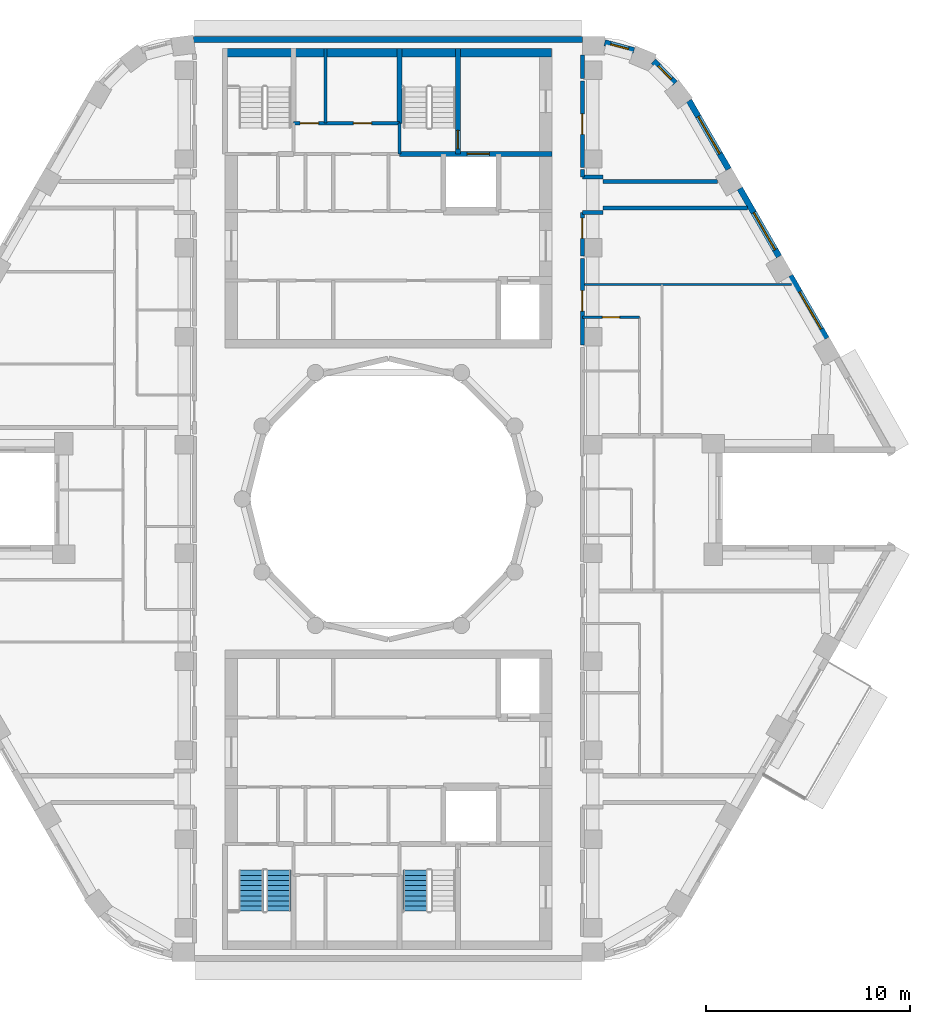
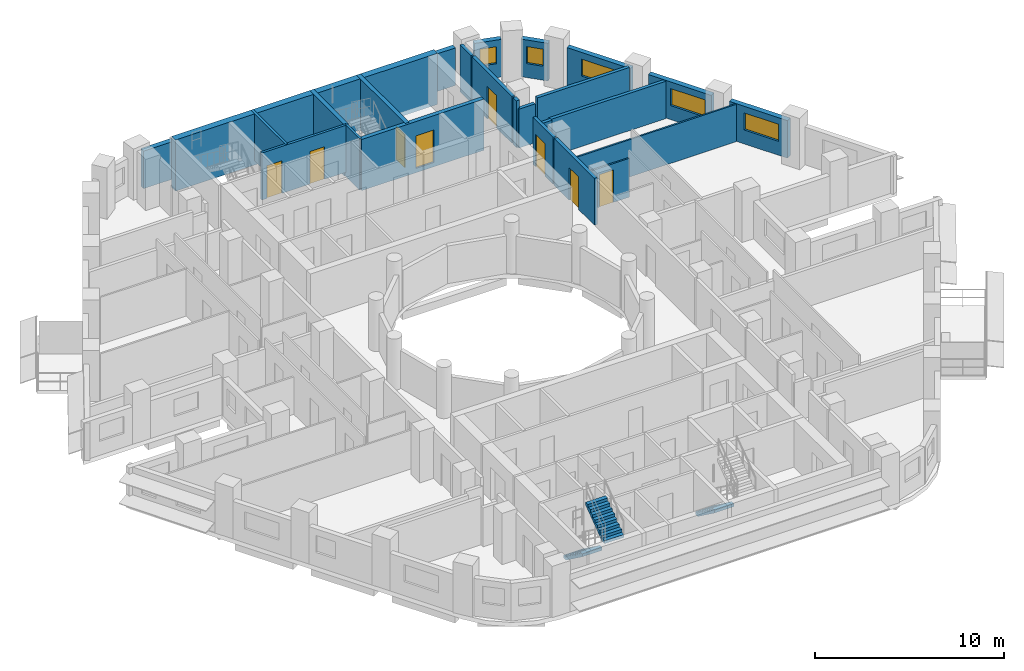
# One storey, part 8 of 14: 24 walls, 8 doors, 5 windows, 3 stair flights, 13 openings, 2 elements without a shape of their own.
"""IFC4 building model written with IfcOpenShell, lengths in metres."""

from ifc_helpers import new_model, si_unit, direction, frame, frame_2d, origin, place, context, subcontext, project, spatial, polyline, rectangle, outline, extrude, material, layer, layer_set, type_object, element, fill, aggregate, save


model = new_model("IFC4")

# Units and contexts
model_context = context("Model", 3, precision=1e-05, world=origin(), true_north=direction((0.0, 1.0)))
body_context = subcontext(model_context, "Body", "Model", "MODEL_VIEW")
ifc_project = project(units=[si_unit("LENGTHUNIT", "METRE"), si_unit("AREAUNIT", "SQUARE_METRE"), si_unit("VOLUMEUNIT", "CUBIC_METRE"), si_unit("PLANEANGLEUNIT", "RADIAN"), si_unit("MASSUNIT", "GRAM", prefix="KILO")], contexts=[model_context])

# Site, building, storey
site_placement = place(None, origin())
site = spatial("IfcSite", under=ifc_project, at=site_placement, CompositionType="ELEMENT")
building_placement = place(site_placement, origin())
building = spatial("IfcBuilding", under=site, at=building_placement, Name="Nakaniwa Court", CompositionType="ELEMENT")
storey_placement = place(building_placement, frame((0.0, 0.0, 262.5)))
storey = spatial("IfcBuildingStorey", under=building, at=storey_placement, Name="L69", CompositionType="ELEMENT", Elevation=262.5)

# Wall, opening, door
ifc_material_1 = material(Name="Acoustic double stud partition")
ifc_layer_1 = layer(ifc_material_1, 0.199951171875)
ifc_layer_set_1 = layer_set([ifc_layer_1], Name="Acoustic double stud partition")
wall_type_1 = type_object("IfcWallType", Name="Acoustic double stud partition 200", PredefinedType="PARTITIONING", material=ifc_layer_set_1)
wall_1_placement = place(storey_placement, frame((89.5, 91.77294921875, 0.0), z_axis=(0.0, 0.0, 1.0), x_axis=(0.0, -1.0, 0.0)))
wall_1 = element("IfcWall", 1, at=wall_1_placement, inside=storey, type_object=wall_type_1, Name="Partition PW-063", PredefinedType="PARTITIONING", context=body_context, shape_type="SweptSolid", body=[
    extrude(rectangle(XDim=4.23583984375, YDim=0.199951171875, at=frame_2d((2.117919921875, 0.0))), origin(), (0.0, 0.0, 1.0), 3.02490234375),
])
opening_1_placement = place(wall_1_placement, frame((1.572998046875, 0.0, 0.0)))
opening_1 = element("IfcOpeningElement", 2, at=opening_1_placement, cuts=wall_1, Name="Opening D-01-03", PredefinedType="OPENING", context=body_context, shape_type="SweptSolid", body=[
    extrude(rectangle(XDim=1.0, YDim=2.10009765625, at=frame_2d((0.5, 1.050048828125))), frame((0.0, 0.10986328125, 0.0), z_axis=(0.0, -1.0, 0.0), x_axis=(1.0, 0.0, 0.0)), (0.0, 0.0, 1.0), 0.219970703125),
])
ifc_material_2 = material(Name="Solid core timber door set, black veneer", Category="wood")
door_type_1 = type_object("IfcDoorType", Name="Flat entrance door 1000", OperationType="NOTDEFINED", PredefinedType="DOOR", material=ifc_material_2)
door_1_placement = place(opening_1_placement, origin())
door_1 = element("IfcDoor", 3, at=door_1_placement, inside=storey, type_object=door_type_1, Name="Door D-01-03 L69-037", OperationType="SINGLE_SWING_RIGHT", OverallHeight=2.10009765625, OverallWidth=1.0, PredefinedType="DOOR", context=body_context, shape_type="SweptSolid", body=[
    extrude(rectangle(XDim=1.0, YDim=2.10009765625, at=frame_2d((0.5, 1.050048828125))), frame((0.0, 0.02490234375, 0.0), z_axis=(0.0, -1.0, 0.0), x_axis=(1.0, 0.0, 0.0)), (0.0, 0.0, 1.0), 0.050048828125),
])
fill(opening_1, door_1)

wall_2_placement = place(storey_placement, frame((89.5, 94.028076171875, 0.0), z_axis=(0.0, 0.0, 1.0), x_axis=(0.0, -1.0, 0.0)))
wall_2 = element("IfcWall", 4, at=wall_2_placement, inside=storey, type_object=wall_type_1, Name="Partition PW-064", PredefinedType="PARTITIONING", context=body_context, shape_type="SweptSolid", body=[
    extrude(rectangle(XDim=2.14111328125, YDim=0.199951171875, at=frame_2d((1.070556640625, 0.0))), origin(), (0.0, 0.0, 1.0), 3.02490234375),
])
opening_2_placement = place(wall_2_placement, frame((0.27001953125, 0.0, 0.0)))
opening_2 = element("IfcOpeningElement", 5, at=opening_2_placement, cuts=wall_2, Name="Opening D-02-04", PredefinedType="OPENING", context=body_context, shape_type="SweptSolid", body=[
    extrude(rectangle(XDim=1.0, YDim=2.10009765625, at=frame_2d((0.5, 1.050048828125))), frame((0.0, 0.10986328125, 0.0), z_axis=(0.0, -1.0, 0.0), x_axis=(1.0, 0.0, 0.0)), (0.0, 0.0, 1.0), 0.219970703125),
])
door_type_2 = type_object("IfcDoorType", Name="Internal door 1000", OperationType="NOTDEFINED", PredefinedType="DOOR", material=ifc_material_2)
door_2_placement = place(opening_2_placement, origin())
door_2 = element("IfcDoor", 6, at=door_2_placement, inside=storey, type_object=door_type_2, Name="Door D-02-04 L69-056", OperationType="SINGLE_SWING_LEFT", OverallHeight=2.10009765625, OverallWidth=1.0, PredefinedType="DOOR", context=body_context, shape_type="SweptSolid", body=[
    extrude(rectangle(XDim=1.0, YDim=2.10009765625, at=frame_2d((0.5, 1.050048828125))), frame((0.0, 0.02490234375, 0.0), z_axis=(0.0, -1.0, 0.0), x_axis=(1.0, 0.0, 0.0)), (0.0, 0.0, 1.0), 0.050048828125),
])
fill(opening_2, door_2)

# Wall
wall_3_placement = place(storey_placement, frame((89.5, 95.77197265625, 0.0), z_axis=(0.0, 0.0, 1.0), x_axis=(0.0, 1.0, 0.0)))
element("IfcWall", 7, at=wall_3_placement, inside=storey, type_object=wall_type_1, Name="Partition PW-065", PredefinedType="PARTITIONING", context=body_context, shape_type="SweptSolid", body=[
    extrude(rectangle(XDim=0.35107421875, YDim=0.199951171875, at=frame_2d((0.175537109375, 0.0))), origin(), (0.0, 0.0, 1.0), 3.02490234375),
])

# Wall, opening, door
wall_4_placement = place(storey_placement, frame((89.5, 100.472900390625, 0.0), z_axis=(0.0, 0.0, 1.0), x_axis=(0.0, -1.0, 0.0)))
wall_4 = element("IfcWall", 8, at=wall_4_placement, inside=storey, type_object=wall_type_1, Name="Partition PW-066", PredefinedType="PARTITIONING", context=body_context, shape_type="SweptSolid", body=[
    extrude(rectangle(XDim=4.23583984375, YDim=0.199951171875, at=frame_2d((2.117919921875, 0.0))), origin(), (0.0, 0.0, 1.0), 3.02490234375),
])
opening_3_placement = place(wall_4_placement, frame((1.617919921875, 0.0, 0.0)))
opening_3 = element("IfcOpeningElement", 9, at=opening_3_placement, cuts=wall_4, Name="Opening D-02-05", PredefinedType="OPENING", context=body_context, shape_type="SweptSolid", body=[
    extrude(rectangle(XDim=1.0, YDim=2.10009765625, at=frame_2d((0.5, 1.050048828125))), frame((0.0, 0.10986328125, 0.0), z_axis=(0.0, -1.0, 0.0), x_axis=(1.0, 0.0, 0.0)), (0.0, 0.0, 1.0), 0.219970703125),
])
door_3_placement = place(opening_3_placement, origin())
door_3 = element("IfcDoor", 10, at=door_3_placement, inside=storey, type_object=door_type_2, Name="Door D-02-05 L69-057", OperationType="SINGLE_SWING_RIGHT", OverallHeight=2.10009765625, OverallWidth=1.0, PredefinedType="DOOR", context=body_context, shape_type="SweptSolid", body=[
    extrude(rectangle(XDim=1.0, YDim=2.10009765625, at=frame_2d((0.5, 1.050048828125))), frame((0.0, 0.02490234375, 0.0), z_axis=(0.0, -1.0, 0.0), x_axis=(1.0, 0.0, 0.0)), (0.0, 0.0, 1.0), 0.050048828125),
])
fill(opening_3, door_3)

# Walls
wall_5_placement = place(storey_placement, frame((89.5, 100.5869140625, 0.0), z_axis=(0.0, 0.0, 1.0), x_axis=(0.0, 1.0, 0.0)))
element("IfcWall", 11, at=wall_5_placement, inside=storey, type_object=wall_type_1, Name="Partition PW-067", PredefinedType="PARTITIONING", context=body_context, shape_type="SweptSolid", body=[
    extrude(rectangle(XDim=1.14599609375, YDim=0.199951171875, at=frame_2d((0.572998046875, 0.0))), origin(), (0.0, 0.0, 1.0), 3.02490234375),
])
wall_6_placement = place(storey_placement, frame((90.5, 94.25, 0.0), z_axis=(0.0, 0.0, 1.0), x_axis=(1.0, 0.0, 0.0)))
element("IfcWall", 12, at=wall_6_placement, inside=storey, type_object=wall_type_1, Name="Partition PW-069", PredefinedType="PARTITIONING", context=body_context, shape_type="SweptSolid", body=[
    extrude(rectangle(XDim=7.080322265625, YDim=0.199951171875, at=frame_2d((3.5400390625, 0.0))), origin(), (0.0, 0.0, 1.0), 2.405029296875),
])
for number, where, z_axis, x_axis, name in (
    (13, (89.5, 94.02490234375, 0.0), (0.0, 0.0, 1.0), (1.0, 0.0, 0.0), "Partition PW-071"),
    (14, (89.5, 95.77490234375, 0.0), (0.0, 0.0, 1.0), (1.0, 0.0, 0.0), "Partition PW-073"),
):
    element("IfcWall", number, at=place(storey_placement, frame(where, z_axis=z_axis, x_axis=x_axis)), inside=storey, type_object=wall_type_1, Name=name, PredefinedType="PARTITIONING", context=body_context, shape_type="SweptSolid", body=[
        extrude(rectangle(XDim=1.0, YDim=0.199951171875, at=frame_2d((0.5, 0.0))), origin(), (0.0, 0.0, 1.0), 2.5048828125),
    ])
wall_7_placement = place(storey_placement, frame((90.5, 95.550048828125, 0.0), z_axis=(0.0, 0.0, 1.0), x_axis=(1.0, 0.0, 0.0)))
element("IfcWall", 15, at=wall_7_placement, inside=storey, type_object=wall_type_1, Name="Partition PW-075", PredefinedType="PARTITIONING", context=body_context, shape_type="SweptSolid", body=[
    extrude(rectangle(XDim=5.61669921875, YDim=0.199951171875, at=frame_2d((2.808349609375, 0.0))), origin(), (0.0, 0.0, 1.0), 3.02490234375),
])

# Wall, opening, window
ifc_material_3 = material(Name="Charcoal ceramic cladding")
ifc_layer_2 = layer(ifc_material_3, 0.02, Name="Ceramic cladding")
ifc_material_4 = material(Name="Ventilated air cavity")
ifc_layer_3 = layer(ifc_material_4, 0.04, ventilated=True, Name="Ventilated cavity")
ifc_material_5 = material(Name="Mineral wool insulation")
ifc_layer_4 = layer(ifc_material_5, 0.1, Name="Insulation")
ifc_material_6 = material(Name="Cement bonded sheathing board")
ifc_layer_5 = layer(ifc_material_6, 0.012, Name="Sheathing")
ifc_material_7 = material(Name="Cold-formed galvanised stud frame with mineral wool infill")
ifc_layer_6 = layer(ifc_material_7, 0.1, Name="Stud frame")
ifc_material_8 = material(Name="Fire-rated gypsum plasterboard lining")
ifc_layer_7 = layer(ifc_material_8, 0.028, Name="Lining")
ifc_layer_set_2 = layer_set([ifc_layer_2, ifc_layer_3, ifc_layer_4, ifc_layer_5, ifc_layer_6, ifc_layer_7], Name="Charcoal ceramic faced external wall system")
wall_type_2 = type_object("IfcWallType", Name="Black ceramic faced external wall 300", PredefinedType="SOLIDWALL", material=ifc_layer_set_2)
wall_8_placement = place(storey_placement, frame((101.44580078125, 87.85498046875, 0.0), z_axis=(0.0, 0.0, 1.0), x_axis=(-0.500010404316, 0.866019396766, 0.0)))
wall_8 = element("IfcWall", 16, at=wall_8_placement, inside=storey, type_object=wall_type_2, Name="L69 external wall 03", PredefinedType="SOLIDWALL", context=body_context, shape_type="SweptSolid", body=[
    extrude(rectangle(XDim=3.54736328125, YDim=0.300048828125, at=frame_2d((1.773681640625, 0.0))), origin(), (0.0, 0.0, 1.0), 2.425048828125),
])
opening_4_placement = place(wall_8_placement, frame((0.5380859375, 0.0, 0.89990234375)))
opening_4 = element("IfcOpeningElement", 17, at=opening_4_placement, cuts=wall_8, Name="Opening W7.02", PredefinedType="OPENING", context=body_context, shape_type="SweptSolid", body=[
    extrude(rectangle(XDim=2.10009765625, YDim=1.10009765625, at=frame_2d((1.050048828125, 0.550048828125))), frame((0.0, 0.159912109375, 0.0), z_axis=(0.0, -1.0, 0.0), x_axis=(1.0, 0.0, 0.0)), (0.0, 0.0, 1.0), 0.320068359375),
])
ifc_material_9 = material(Name="Black anodised aluminium frame with dark low-E laminated double glazing", Category="aluminium")
window_type_1 = type_object("IfcWindowType", Name="Dark glass window 2100x1100 sill 900", PartitioningType="SINGLE_PANEL", PredefinedType="WINDOW", material=ifc_material_9)
window_1_placement = place(opening_4_placement, origin())
window_1 = element("IfcWindow", 18, at=window_1_placement, inside=storey, type_object=window_type_1, Name="L69 living window 03-0", OverallHeight=1.10009765625, OverallWidth=2.10009765625, PartitioningType="SINGLE_PANEL", PredefinedType="WINDOW", context=body_context, shape_type="SweptSolid", body=[
    extrude(rectangle(XDim=2.10009765625, YDim=1.10009765625, at=frame_2d((1.050048828125, 0.550048828125))), frame((0.0, 0.030029296875, 0.0), z_axis=(0.0, -1.0, 0.0), x_axis=(1.0, 0.0, 0.0)), (0.0, 0.0, 1.0), 0.06005859375),
])
fill(opening_4, window_1)

wall_9_placement = place(storey_placement, frame((99.126220703125, 91.87255859375, 0.0), z_axis=(0.0, 0.0, 1.0), x_axis=(-0.499984490703, 0.866034357896, 0.0)))
wall_9 = element("IfcWall", 19, at=wall_9_placement, inside=storey, type_object=wall_type_2, Name="L69 external wall 04", PredefinedType="SOLIDWALL", context=body_context, shape_type="SweptSolid", body=[
    extrude(rectangle(XDim=3.84423828125, YDim=0.300048828125, at=frame_2d((1.922119140625, 0.0))), origin(), (0.0, 0.0, 1.0), 2.425048828125),
])
opening_5_placement = place(wall_9_placement, frame((0.3837890625, 0.0, 0.89990234375)))
opening_5 = element("IfcOpeningElement", 20, at=opening_5_placement, cuts=wall_9, Name="Opening W7.03", PredefinedType="OPENING", context=body_context, shape_type="SweptSolid", body=[
    extrude(rectangle(XDim=2.10009765625, YDim=1.10009765625, at=frame_2d((1.050048828125, 0.550048828125))), frame((0.0, 0.159912109375, 0.0), z_axis=(0.0, -1.0, 0.0), x_axis=(1.0, 0.0, 0.0)), (0.0, 0.0, 1.0), 0.320068359375),
])
window_2_placement = place(opening_5_placement, origin())
window_2 = element("IfcWindow", 21, at=window_2_placement, inside=storey, type_object=window_type_1, Name="L69 habitable room window 04-0", OverallHeight=1.10009765625, OverallWidth=2.10009765625, PartitioningType="SINGLE_PANEL", PredefinedType="WINDOW", context=body_context, shape_type="SweptSolid", body=[
    extrude(rectangle(XDim=2.10009765625, YDim=1.10009765625, at=frame_2d((1.050048828125, 0.550048828125))), frame((0.0, 0.030029296875, 0.0), z_axis=(0.0, -1.0, 0.0), x_axis=(1.0, 0.0, 0.0)), (0.0, 0.0, 1.0), 0.06005859375),
])
fill(opening_5, window_2)

wall_10_placement = place(storey_placement, frame((96.657958984375, 96.1474609375, 0.0), z_axis=(0.0, 0.0, 1.0), x_axis=(-0.500011218404, 0.866018926739, 0.0)))
wall_10 = element("IfcWall", 22, at=wall_10_placement, inside=storey, type_object=wall_type_2, Name="L69 external wall 05", PredefinedType="SOLIDWALL", context=body_context, shape_type="SweptSolid", body=[
    extrude(rectangle(XDim=3.87890625, YDim=0.300048828125, at=frame_2d((1.939453125, 0.0))), origin(), (0.0, 0.0, 1.0), 2.425048828125),
])
opening_6_placement = place(wall_10_placement, frame((0.878173828125, 0.0, 0.89990234375)))
opening_6 = element("IfcOpeningElement", 23, at=opening_6_placement, cuts=wall_10, Name="Opening W7.04", PredefinedType="OPENING", context=body_context, shape_type="SweptSolid", body=[
    extrude(rectangle(XDim=2.10009765625, YDim=1.10009765625, at=frame_2d((1.050048828125, 0.550048828125))), frame((0.0, 0.159912109375, 0.0), z_axis=(0.0, -1.0, 0.0), x_axis=(1.0, 0.0, 0.0)), (0.0, 0.0, 1.0), 0.320068359375),
])
window_3_placement = place(opening_6_placement, origin())
window_3 = element("IfcWindow", 24, at=window_3_placement, inside=storey, type_object=window_type_1, Name="L69 habitable room window 05-0", OverallHeight=1.10009765625, OverallWidth=2.10009765625, PartitioningType="SINGLE_PANEL", PredefinedType="WINDOW", context=body_context, shape_type="SweptSolid", body=[
    extrude(rectangle(XDim=2.10009765625, YDim=1.10009765625, at=frame_2d((1.050048828125, 0.550048828125))), frame((0.0, 0.030029296875, 0.0), z_axis=(0.0, -1.0, 0.0), x_axis=(1.0, 0.0, 0.0)), (0.0, 0.0, 1.0), 0.06005859375),
])
fill(opening_6, window_3)

wall_11_placement = place(storey_placement, frame((94.0341796875, 100.3583984375, 0.0), z_axis=(0.0, 0.0, 1.0), x_axis=(-0.698675602211, 0.71543860874, 0.0)))
wall_11 = element("IfcWall", 25, at=wall_11_placement, inside=storey, type_object=wall_type_2, Name="L69 external wall 06", PredefinedType="SOLIDWALL", context=body_context, shape_type="SweptSolid", body=[
    extrude(rectangle(XDim=1.5, YDim=0.300048828125, at=frame_2d((0.75, 0.0))), origin(), (0.0, 0.0, 1.0), 2.425048828125),
])
opening_7_placement = place(wall_11_placement, frame((0.27587890625, 0.0, 0.89990234375)))
opening_7 = element("IfcOpeningElement", 26, at=opening_7_placement, cuts=wall_11, Name="Opening W9.05", PredefinedType="OPENING", context=body_context, shape_type="SweptSolid", body=[
    extrude(rectangle(XDim=0.89990234375, YDim=1.10009765625, at=frame_2d((0.449951171875, 0.550048828125))), frame((0.0, 0.159912109375, 0.0), z_axis=(0.0, -1.0, 0.0), x_axis=(1.0, 0.0, 0.0)), (0.0, 0.0, 1.0), 0.320068359375),
])
window_type_2 = type_object("IfcWindowType", Name="Dark glass window 900x1100 sill 900", PartitioningType="SINGLE_PANEL", PredefinedType="WINDOW", material=ifc_material_9)
window_4_placement = place(opening_7_placement, origin())
window_4 = element("IfcWindow", 27, at=window_4_placement, inside=storey, type_object=window_type_2, Name="L69 habitable room window 06-0", OverallHeight=1.10009765625, OverallWidth=0.89990234375, PartitioningType="SINGLE_PANEL", PredefinedType="WINDOW", context=body_context, shape_type="SweptSolid", body=[
    extrude(rectangle(XDim=0.89990234375, YDim=1.10009765625, at=frame_2d((0.449951171875, 0.550048828125))), frame((0.0, 0.030029296875, 0.0), z_axis=(0.0, -1.0, 0.0), x_axis=(1.0, 0.0, 0.0)), (0.0, 0.0, 1.0), 0.06005859375),
])
fill(opening_7, window_4)

wall_12_placement = place(storey_placement, frame((92.02099609375, 101.956298828125, 0.0), z_axis=(0.0, 0.0, 1.0), x_axis=(-0.965392564919, 0.260801065181, 0.0)))
wall_12 = element("IfcWall", 28, at=wall_12_placement, inside=storey, type_object=wall_type_2, Name="L69 external wall 07", PredefinedType="SOLIDWALL", context=body_context, shape_type="SweptSolid", body=[
    extrude(rectangle(XDim=1.48095703125, YDim=0.300048828125, at=frame_2d((0.740478515625, 0.0))), origin(), (0.0, 0.0, 1.0), 2.425048828125),
])
opening_8_placement = place(wall_12_placement, frame((0.280029296875, 0.0, 0.89990234375)))
opening_8 = element("IfcOpeningElement", 29, at=opening_8_placement, cuts=wall_12, Name="Opening W9.06", PredefinedType="OPENING", context=body_context, shape_type="SweptSolid", body=[
    extrude(rectangle(XDim=0.89990234375, YDim=1.10009765625, at=frame_2d((0.449951171875, 0.550048828125))), frame((0.0, 0.159912109375, 0.0), z_axis=(0.0, -1.0, 0.0), x_axis=(1.0, 0.0, 0.0)), (0.0, 0.0, 1.0), 0.320068359375),
])
window_5_placement = place(opening_8_placement, origin())
window_5 = element("IfcWindow", 30, at=window_5_placement, inside=storey, type_object=window_type_2, Name="L69 habitable room window 07-0", OverallHeight=1.10009765625, OverallWidth=0.89990234375, PartitioningType="SINGLE_PANEL", PredefinedType="WINDOW", context=body_context, shape_type="SweptSolid", body=[
    extrude(rectangle(XDim=0.89990234375, YDim=1.10009765625, at=frame_2d((0.449951171875, 0.550048828125))), frame((0.0, 0.030029296875, 0.0), z_axis=(0.0, -1.0, 0.0), x_axis=(1.0, 0.0, 0.0)), (0.0, 0.0, 1.0), 0.06005859375),
])
fill(opening_8, window_5)

# Wall
wall_13_placement = place(storey_placement, frame((89.499267578125, 102.5, 0.0), z_axis=(0.0, 0.0, 1.0), x_axis=(-1.0, 0.0, 0.0)))
element("IfcWall", 31, at=wall_13_placement, inside=storey, type_object=wall_type_2, Name="L69 external wall 08", PredefinedType="SOLIDWALL", context=body_context, shape_type="SweptSolid", body=[
    extrude(rectangle(XDim=19.033447265625, YDim=0.300048828125, at=frame_2d((9.5166015625, 0.0))), origin(), (0.0, 0.0, 1.0), 2.425048828125),
])

# Wall, openings, doors
ifc_material_10 = material(Name="Blockwork partition", Category="masonry")
ifc_layer_8 = layer(ifc_material_10, 0.14990234375)
ifc_layer_set_3 = layer_set([ifc_layer_8], Name="Blockwork partition")
wall_type_3 = type_object("IfcWallType", Name="Blockwork partition 150", PredefinedType="PARTITIONING", material=ifc_layer_set_3)
wall_14_placement = place(storey_placement, frame((75.35009765625, 98.39990234375, 0.0), z_axis=(0.0, 0.0, 1.0), x_axis=(1.0, 0.0, 0.0)))
wall_14 = element("IfcWall", 32, at=wall_14_placement, inside=storey, type_object=wall_type_3, Name="Partition PW-027", PredefinedType="PARTITIONING", context=body_context, shape_type="SweptSolid", body=[
    extrude(rectangle(XDim=5.199951171875, YDim=0.14990234375, at=frame_2d((2.60009765625, 0.0))), origin(), (0.0, 0.0, 1.0), 3.02490234375),
])
opening_9_placement = place(wall_14_placement, frame((0.330078125, 0.0, 0.0)))
opening_9 = element("IfcOpeningElement", 33, at=opening_9_placement, cuts=wall_14, Name="Opening D-05-08", PredefinedType="OPENING", context=body_context, shape_type="SweptSolid", body=[
    extrude(rectangle(XDim=0.89990234375, YDim=2.10009765625, at=frame_2d((0.449951171875, 1.050048828125))), frame((0.0, 0.0849609375, 0.0), z_axis=(0.0, -1.0, 0.0), x_axis=(1.0, 0.0, 0.0)), (0.0, 0.0, 1.0), 0.169921875),
])
opening_10_placement = place(wall_14_placement, frame((2.929931640625, 0.0, 0.0)))
opening_10 = element("IfcOpeningElement", 34, at=opening_10_placement, cuts=wall_14, Name="Opening D-05-09", PredefinedType="OPENING", context=body_context, shape_type="SweptSolid", body=[
    extrude(rectangle(XDim=0.89990234375, YDim=2.10009765625, at=frame_2d((0.449951171875, 1.050048828125))), frame((0.0, 0.0849609375, 0.0), z_axis=(0.0, -1.0, 0.0), x_axis=(1.0, 0.0, 0.0)), (0.0, 0.0, 1.0), 0.169921875),
])
ifc_material_11 = material(Name="Fire rated steel door set", Category="steel")
door_type_3 = type_object("IfcDoorType", Name="Service room door 900", OperationType="NOTDEFINED", PredefinedType="DOOR", material=ifc_material_11)
door_4_placement = place(opening_9_placement, origin())
door_4 = element("IfcDoor", 35, at=door_4_placement, inside=storey, type_object=door_type_3, Name="Door D-05-08 L69-011", OperationType="SINGLE_SWING_RIGHT", OverallHeight=2.10009765625, OverallWidth=0.89990234375, PredefinedType="DOOR", context=body_context, shape_type="SweptSolid", body=[
    extrude(rectangle(XDim=0.89990234375, YDim=2.10009765625, at=frame_2d((0.449951171875, 1.050048828125))), frame((0.0, 0.02490234375, 0.0), z_axis=(0.0, -1.0, 0.0), x_axis=(1.0, 0.0, 0.0)), (0.0, 0.0, 1.0), 0.050048828125),
])
fill(opening_9, door_4)
door_5_placement = place(opening_10_placement, origin())
door_5 = element("IfcDoor", 36, at=door_5_placement, inside=storey, type_object=door_type_3, Name="Door D-05-09 L69-012", OperationType="SINGLE_SWING_LEFT", OverallHeight=2.10009765625, OverallWidth=0.89990234375, PredefinedType="DOOR", context=body_context, shape_type="SweptSolid", body=[
    extrude(rectangle(XDim=0.89990234375, YDim=2.10009765625, at=frame_2d((0.449951171875, 1.050048828125))), frame((0.0, 0.02490234375, 0.0), z_axis=(0.0, -1.0, 0.0), x_axis=(1.0, 0.0, 0.0)), (0.0, 0.0, 1.0), 0.050048828125),
])
fill(opening_10, door_5)

# Walls
wall_15_placement = place(storey_placement, frame((76.909912109375, 98.39990234375, 0.0), z_axis=(0.0, 0.0, 1.0), x_axis=(0.0, 1.0, 0.0)))
element("IfcWall", 37, at=wall_15_placement, inside=storey, type_object=wall_type_3, Name="Partition PW-028", PredefinedType="PARTITIONING", context=body_context, shape_type="SweptSolid", body=[
    extrude(rectangle(XDim=3.650146484375, YDim=0.14990234375, at=frame_2d((1.8251953125, 0.0))), origin(), (0.0, 0.0, 1.0), 3.02490234375),
])
ifc_material_12 = material(Name="Concrete C80/100", Category="concrete")
ifc_layer_9 = layer(ifc_material_12, 0.14990234375)
ifc_layer_set_4 = layer_set([ifc_layer_9], Name="Concrete C80/100")
wall_type_4 = type_object("IfcWallType", Name="Concrete core wall 150 C80", PredefinedType="SHEAR", material=ifc_layer_set_4)
wall_16_placement = place(storey_placement, frame((80.550048828125, 96.89990234375, -0.27490234375), z_axis=(0.0, 0.0, 1.0), x_axis=(0.0, 1.0, 0.0)))
element("IfcWall", 38, at=wall_16_placement, inside=storey, type_object=wall_type_4, Name="Core wall SW-25", PredefinedType="SHEAR", context=body_context, shape_type="SweptSolid", body=[
    extrude(rectangle(XDim=1.503173828125, YDim=0.14990234375, at=frame_2d((0.75146484375, 0.0))), origin(), (0.0, 0.0, 1.0), 3.2998046875),
])
ifc_layer_10 = layer(ifc_material_12, 0.39990234375)
ifc_layer_set_5 = layer_set([ifc_layer_10], Name="Concrete C80/100")
wall_type_5 = type_object("IfcWallType", Name="Concrete core wall 400 C80", PredefinedType="SHEAR", material=ifc_layer_set_5)
wall_17_placement = place(storey_placement, frame((72.00390625, 101.85009765625, -0.27490234375), z_axis=(0.0, 0.0, 1.0), x_axis=(1.0, 0.0, 0.0)))
element("IfcWall", 39, at=wall_17_placement, inside=storey, type_object=wall_type_5, Name="Core wall SW-127", PredefinedType="SHEAR", context=body_context, shape_type="SweptSolid", body=[
    extrude(rectangle(XDim=15.9921875, YDim=0.39990234375, at=frame_2d((7.99609375, 0.0))), origin(), (0.0, 0.0, 1.0), 3.2998046875),
])

# Wall, opening, door
ifc_layer_11 = layer(ifc_material_12, 0.25)
ifc_layer_set_6 = layer_set([ifc_layer_11], Name="Concrete C80/100")
wall_type_6 = type_object("IfcWallType", Name="Concrete shaft wall 250 C80", PredefinedType="SHEAR", material=ifc_layer_set_6)
wall_18_placement = place(storey_placement, frame((80.547119140625, 96.89990234375, -0.27490234375), z_axis=(0.0, 0.0, 1.0), x_axis=(1.0, 0.0, 0.0)))
wall_18 = element("IfcWall", 40, at=wall_18_placement, inside=storey, type_object=wall_type_6, Name="Core wall SW-17", PredefinedType="SHEAR", context=body_context, shape_type="SweptSolid", body=[
    extrude(rectangle(XDim=7.452880859375, YDim=0.25, at=frame_2d((3.7265625, 0.0))), origin(), (0.0, 0.0, 1.0), 3.2998046875),
])
opening_11_placement = place(wall_18_placement, frame((3.302001953125, 0.0, 0.27490234375)))
opening_11 = element("IfcOpeningElement", 41, at=opening_11_placement, cuts=wall_18, Name="Opening LD02", PredefinedType="OPENING", context=body_context, shape_type="SweptSolid", body=[
    extrude(rectangle(XDim=1.10009765625, YDim=2.10009765625, at=frame_2d((0.550048828125, 1.050048828125))), frame((0.0, 0.135009765625, 0.0), z_axis=(0.0, -1.0, 0.0), x_axis=(1.0, 0.0, 0.0)), (0.0, 0.0, 1.0), 0.27001953125),
])
ifc_material_13 = material(Name="Stainless steel sliding lift landing door", Category="steel")
door_type_4 = type_object("IfcDoorType", Name="Lift landing door 1100", OperationType="NOTDEFINED", PredefinedType="DOOR", material=ifc_material_13)
door_6_placement = place(opening_11_placement, origin())
door_6 = element("IfcDoor", 42, at=door_6_placement, inside=storey, type_object=door_type_4, Name="Lift landing door LD02 L69-002", OperationType="SLIDING_TO_LEFT", OverallHeight=2.10009765625, OverallWidth=1.10009765625, PredefinedType="DOOR", context=body_context, shape_type="SweptSolid", body=[
    extrude(rectangle(XDim=1.10009765625, YDim=2.10009765625, at=frame_2d((0.550048828125, 1.050048828125))), frame((0.0, 0.02490234375, 0.0), z_axis=(0.0, -1.0, 0.0), x_axis=(1.0, 0.0, 0.0)), (0.0, 0.0, 1.0), 0.050048828125),
])
fill(opening_11, door_6)

wall_19_placement = place(storey_placement, frame((83.39990234375, 102.050048828125, -0.27490234375), z_axis=(0.0, 0.0, 1.0), x_axis=(0.0, -1.0, 0.0)))
wall_19 = element("IfcWall", 43, at=wall_19_placement, inside=storey, type_object=wall_type_6, Name="Core wall SW-24", PredefinedType="SHEAR", context=body_context, shape_type="SweptSolid", body=[
    extrude(rectangle(XDim=5.150146484375, YDim=0.25, at=frame_2d((2.5751953125, 0.0))), origin(), (0.0, 0.0, 1.0), 3.2998046875),
])
opening_12_placement = place(wall_19_placement, frame((4.0, 0.0, 0.27490234375)))
opening_12 = element("IfcOpeningElement", 44, at=opening_12_placement, cuts=wall_19, Name="Opening D-11-01", PredefinedType="OPENING", context=body_context, shape_type="SweptSolid", body=[
    extrude(rectangle(XDim=0.89990234375, YDim=2.10009765625, at=frame_2d((0.449951171875, 1.050048828125))), frame((0.0, 0.135009765625, 0.0), z_axis=(0.0, -1.0, 0.0), x_axis=(1.0, 0.0, 0.0)), (0.0, 0.0, 1.0), 0.27001953125),
])
door_type_5 = type_object("IfcDoorType", Name="Stair door 900", OperationType="NOTDEFINED", PredefinedType="DOOR", material=ifc_material_11)
door_7_placement = place(opening_12_placement, origin())
door_7 = element("IfcDoor", 45, at=door_7_placement, inside=storey, type_object=door_type_5, Name="Door D-11-01 L69-014", OperationType="SINGLE_SWING_RIGHT", OverallHeight=2.10009765625, OverallWidth=0.89990234375, PredefinedType="DOOR", context=body_context, shape_type="SweptSolid", body=[
    extrude(rectangle(XDim=0.89990234375, YDim=2.10009765625, at=frame_2d((0.449951171875, 1.050048828125))), frame((0.0, 0.02490234375, 0.0), z_axis=(0.0, -1.0, 0.0), x_axis=(1.0, 0.0, 0.0)), (0.0, 0.0, 1.0), 0.050048828125),
])
fill(opening_12, door_7)

# Wall
wall_20_placement = place(storey_placement, frame((80.550048828125, 98.39697265625, -0.27490234375), z_axis=(0.0, 0.0, 1.0), x_axis=(0.0, 1.0, 0.0)))
element("IfcWall", 46, at=wall_20_placement, inside=storey, type_object=wall_type_6, Name="Core wall SW-26", PredefinedType="SHEAR", context=body_context, shape_type="SweptSolid", body=[
    extrude(rectangle(XDim=3.653076171875, YDim=0.25, at=frame_2d((1.82666015625, 0.0))), origin(), (0.0, 0.0, 1.0), 3.2998046875),
])

# Wall, opening, door
ifc_material_14 = material(Name="Single stud plasterboard partition")
ifc_layer_12 = layer(ifc_material_14, 0.10009765625)
ifc_layer_set_7 = layer_set([ifc_layer_12], Name="Single stud plasterboard partition")
wall_type_7 = type_object("IfcWallType", Name="Single stud plasterboard partition 100", PredefinedType="PARTITIONING", material=ifc_layer_set_7)
wall_21_placement = place(storey_placement, frame((92.300048828125, 88.89990234375, 0.0), z_axis=(0.0, 0.0, 1.0), x_axis=(-1.0, 0.0, 0.0)))
wall_21 = element("IfcWall", 47, at=wall_21_placement, inside=storey, type_object=wall_type_7, Name="Partition PW-110", PredefinedType="PARTITIONING", context=body_context, shape_type="SweptSolid", body=[
    extrude(rectangle(XDim=2.800048828125, YDim=0.10009765625, at=frame_2d((1.39990234375, 0.0))), origin(), (0.0, 0.0, 1.0), 2.5048828125),
])
opening_13_placement = place(wall_21_placement, frame((0.97509765625, 0.0, 0.0)))
opening_13 = element("IfcOpeningElement", 48, at=opening_13_placement, cuts=wall_21, Name="Opening D-03-03", PredefinedType="OPENING", context=body_context, shape_type="SweptSolid", body=[
    extrude(rectangle(XDim=0.85009765625, YDim=2.10009765625, at=frame_2d((0.425048828125, 1.050048828125))), frame((0.0, 0.06005859375, 0.0), z_axis=(0.0, -1.0, 0.0), x_axis=(1.0, 0.0, 0.0)), (0.0, 0.0, 1.0), 0.1201171875),
])
ifc_material_15 = material(Name="Moisture sealed timber door set", Category="wood")
door_type_6 = type_object("IfcDoorType", Name="Bathroom door 850", OperationType="NOTDEFINED", PredefinedType="DOOR", material=ifc_material_15)
door_8_placement = place(opening_13_placement, origin())
door_8 = element("IfcDoor", 49, at=door_8_placement, inside=storey, type_object=door_type_6, Name="Door D-03-03 L69-039", OperationType="SINGLE_SWING_RIGHT", OverallHeight=2.10009765625, OverallWidth=0.85009765625, PredefinedType="DOOR", context=body_context, shape_type="SweptSolid", body=[
    extrude(rectangle(XDim=0.85009765625, YDim=2.10009765625, at=frame_2d((0.425048828125, 1.050048828125))), frame((0.0, 0.02490234375, 0.0), z_axis=(0.0, -1.0, 0.0), x_axis=(1.0, 0.0, 0.0)), (0.0, 0.0, 1.0), 0.050048828125),
])
fill(opening_13, door_8)

# Wall
wall_22_placement = place(storey_placement, frame((89.5, 90.5, 0.0), z_axis=(0.0, 0.0, 1.0), x_axis=(1.0, 0.0, 0.0)))
element("IfcWall", 50, at=wall_22_placement, inside=storey, type_object=wall_type_7, Name="Partition PW-111", PredefinedType="PARTITIONING", context=body_context, shape_type="SweptSolid", body=[
    extrude(rectangle(XDim=10.245361328125, YDim=0.10009765625, at=frame_2d((5.12255859375, 0.0))), origin(), (0.0, 0.0, 1.0), 2.405029296875),
])

# Stair, stair flights
stair_type = type_object("IfcStairType", Name="Dog leg stair 1200 wide 18 risers", PredefinedType="HALF_TURN_STAIR", material=ifc_material_12)
stair_1_placement = place(storey_placement, origin())
stair_1 = element("IfcStair", 51, at=stair_1_placement, inside=storey, type_object=stair_type, Name="L69 Stair ST3", PredefinedType="HALF_TURN_STAIR")
stair_flight_type = type_object("IfcStairFlightType", Name="Stair flight 1200 wide 9 risers", PredefinedType="STRAIGHT", material=ifc_material_12)
stair_flight_1_placement = place(storey_placement, frame((73.27490234375, 61.824951171875, 0.0), z_axis=(0.0, 0.0, 1.0), x_axis=(0.0, -1.0, 0.0)))
stair_flight_1 = element("IfcStairFlight", 52, at=stair_flight_1_placement, type_object=stair_flight_type, Name="ST3 flight 1", NumberOfRisers=9, NumberOfTreads=8, PredefinedType="STRAIGHT", RiserHeight=0.183333333, TreadLength=0.25, context=body_context, shape_type="SweptSolid", body=[
    extrude(outline(polyline([(0.0, 0.0), (0.0, 0.026123046875), (0.0, 0.052490234375), (0.0, 0.07861328125), (0.0, 0.104736328125), (0.0, 0.130859375), (0.0, 0.1572265625), (0.0, 0.183349609375), (0.25, 0.183349609375), (0.25, 0.36669921875), (0.5, 0.36669921875), (0.5, 0.550048828125), (0.75, 0.550048828125), (0.75, 0.7333984375), (1.0, 0.7333984375), (1.0, 0.916748046875), (1.25, 0.916748046875), (1.25, 1.10009765625), (1.5, 1.10009765625), (1.5, 1.283447265625), (1.75, 1.283447265625), (1.75, 1.466552734375), (2.0, 1.466552734375), (2.0, 1.64990234375), (2.0, 1.59716796875), (2.0, 1.54443359375), (2.0, 1.49169921875), (2.0, 1.43896484375), (2.0, 1.38623046875), (2.0, 1.33349609375), (2.0, 1.28076171875), (0.25341796875, 0.0), (0.0, 0.0)])), frame((0.0, 0.60009765625, 0.0), z_axis=(0.0, -1.0, 0.0), x_axis=(1.0, 0.0, 0.0)), (0.0, 0.0, 1.0), 1.199951171875),
])
stair_flight_2_placement = place(storey_placement, frame((74.625, 59.824951171875, 1.64990234375), z_axis=(0.0, 0.0, 1.0), x_axis=(0.0, 1.0, 0.0)))
stair_flight_2 = element("IfcStairFlight", 53, at=stair_flight_2_placement, type_object=stair_flight_type, Name="ST3 flight 2", NumberOfRisers=9, NumberOfTreads=8, PredefinedType="STRAIGHT", RiserHeight=0.183333333, TreadLength=0.25, context=body_context, shape_type="SweptSolid", body=[
    extrude(outline(polyline([(0.0, 0.0), (0.0, 0.026123046875), (0.0, 0.052490234375), (0.0, 0.07861328125), (0.0, 0.104736328125), (0.0, 0.130859375), (0.0, 0.1572265625), (0.0, 0.183349609375), (0.25, 0.183349609375), (0.25, 0.36669921875), (0.5, 0.36669921875), (0.5, 0.550048828125), (0.75, 0.550048828125), (0.75, 0.7333984375), (1.0, 0.7333984375), (1.0, 0.916748046875), (1.25, 0.916748046875), (1.25, 1.10009765625), (1.5, 1.10009765625), (1.5, 1.283447265625), (1.75, 1.283447265625), (1.75, 1.466552734375), (2.0, 1.466552734375), (2.0, 1.64990234375), (2.0, 1.59716796875), (2.0, 1.54443359375), (2.0, 1.49169921875), (2.0, 1.43896484375), (2.0, 1.38623046875), (2.0, 1.33349609375), (2.0, 1.28076171875), (0.25341796875, 0.0), (0.0, 0.0)])), frame((0.0, 0.60009765625, 0.0), z_axis=(0.0, -1.0, 0.0), x_axis=(1.0, 0.0, 0.0)), (0.0, 0.0, 1.0), 1.199951171875),
])
aggregate(stair_1, [stair_flight_1, stair_flight_2])

# Stair, stair flight
stair_2_placement = place(storey_placement, origin())
stair_2 = element("IfcStair", 54, at=stair_2_placement, inside=storey, type_object=stair_type, Name="L69 Stair ST4", PredefinedType="HALF_TURN_STAIR")
stair_flight_3_placement = place(storey_placement, frame((81.324951171875, 61.824951171875, 0.0), z_axis=(0.0, 0.0, 1.0), x_axis=(0.0, -1.0, 0.0)))
stair_flight_3 = element("IfcStairFlight", 55, at=stair_flight_3_placement, type_object=stair_flight_type, Name="ST4 flight 1", NumberOfRisers=9, NumberOfTreads=8, PredefinedType="STRAIGHT", RiserHeight=0.183333333, TreadLength=0.25, context=body_context, shape_type="SweptSolid", body=[
    extrude(outline(polyline([(0.0, 0.0), (0.0, 0.026123046875), (0.0, 0.052490234375), (0.0, 0.07861328125), (0.0, 0.104736328125), (0.0, 0.130859375), (0.0, 0.1572265625), (0.0, 0.183349609375), (0.25, 0.183349609375), (0.25, 0.36669921875), (0.5, 0.36669921875), (0.5, 0.550048828125), (0.75, 0.550048828125), (0.75, 0.7333984375), (1.0, 0.7333984375), (1.0, 0.916748046875), (1.25, 0.916748046875), (1.25, 1.10009765625), (1.5, 1.10009765625), (1.5, 1.283447265625), (1.75, 1.283447265625), (1.75, 1.466552734375), (2.0, 1.466552734375), (2.0, 1.64990234375), (2.0, 1.59716796875), (2.0, 1.54443359375), (2.0, 1.49169921875), (2.0, 1.43896484375), (2.0, 1.38623046875), (2.0, 1.33349609375), (2.0, 1.28076171875), (0.25341796875, 0.0), (0.0, 0.0)])), frame((0.0, 0.60009765625, 0.0), z_axis=(0.0, -1.0, 0.0), x_axis=(1.0, 0.0, 0.0)), (0.0, 0.0, 1.0), 1.199951171875),
])
aggregate(stair_2, [stair_flight_3])

save(model, "model.ifc")
